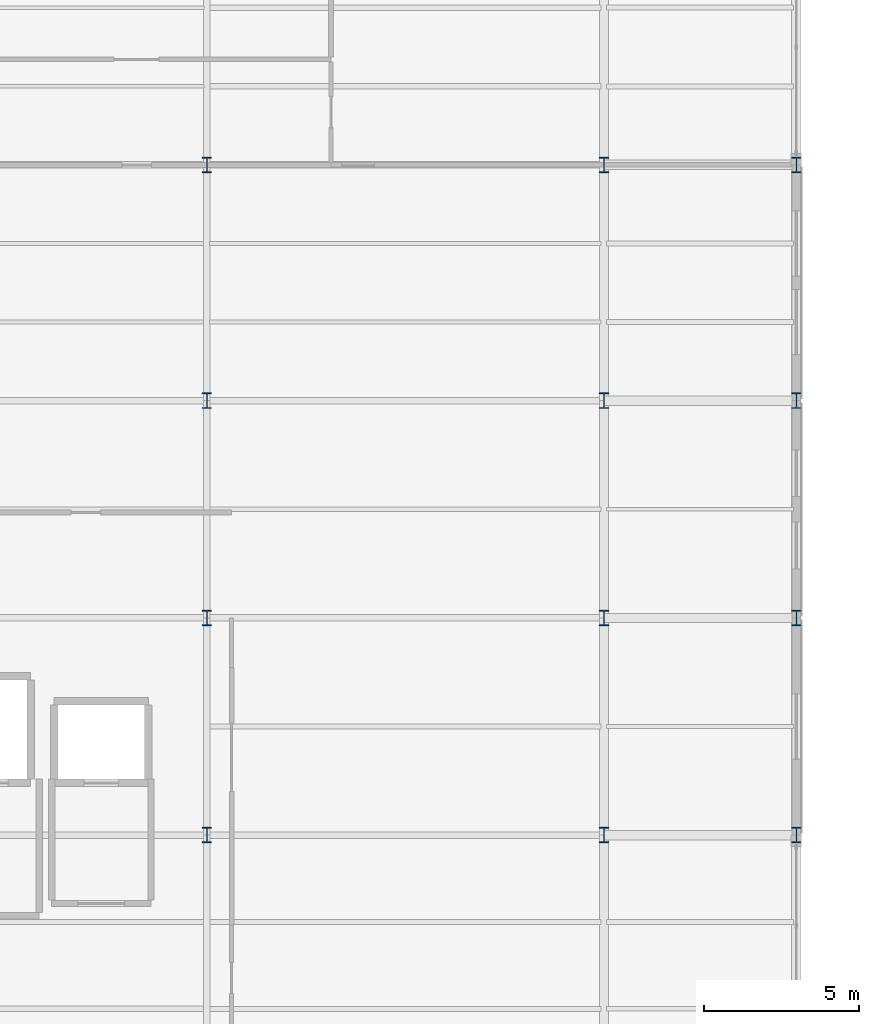
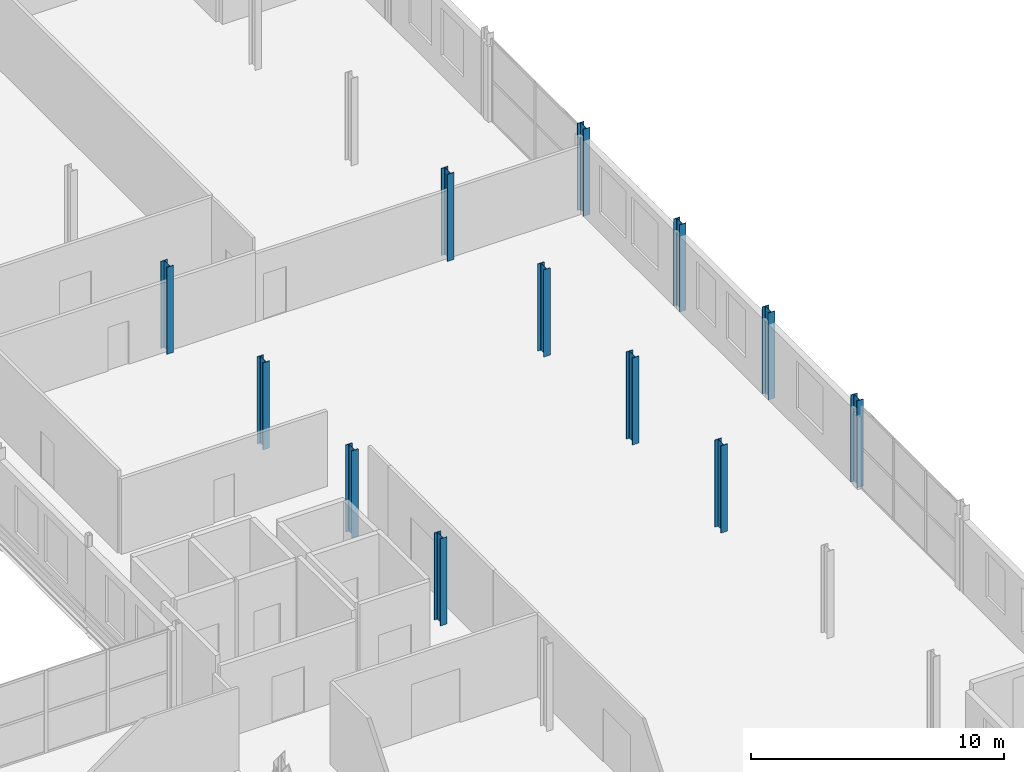
# One storey, part 14 of 101: 12 columns.
"""IFC4 building model written with IfcOpenShell, lengths in metres."""

import ifcopenshell
import ifcopenshell.guid

model = None  # the IFC model being written
_history = None  # IfcOwnerHistory: only IFC2X3 demands one
_inside = {}  # id of a spatial element -> (the spatial element, [elements in it])
_under = {}  # id of a project, library or spatial element -> (it, [spatial elements below it])
_declared = {}  # id of a project -> (the project, [libraries it declares])
_typed = {}  # id of a type object -> (the type object, [elements of that type])
_made_of = {}  # id of a material, layer set ... -> (it, [elements and type objects made of it])


def new_model(schema):
    """Start an empty IFC model of exactly this schema.

    Asked for "IFC4X3", IfcOpenShell would pick the latest addendum, in which some entities
    have other attributes; the version numbers below select the first issue.
    IFC2X3 requires an IfcOwnerHistory on every rooted entity: one is made here for all.
    """
    global model, _history
    if schema == "IFC4X3":
        model = ifcopenshell.file(schema_version=(4, 3, 0, 0))
    else:
        model = ifcopenshell.file(schema=schema)
    _inside.clear()
    _under.clear()
    _declared.clear()
    _typed.clear()
    _made_of.clear()
    _history = None
    if model.schema == "IFC2X3":
        org = make("IfcOrganization", Name="unknown")
        user = make(
            "IfcPersonAndOrganization",
            ThePerson=make("IfcPerson", FamilyName="unknown"),
            TheOrganization=org,
        )
        app = make(
            "IfcApplication",
            ApplicationDeveloper=org,
            Version="unknown",
            ApplicationFullName="unknown",
            ApplicationIdentifier="unknown",
        )
        _history = make(
            "IfcOwnerHistory",
            OwningUser=user,
            OwningApplication=app,
            ChangeAction="ADDED",
            CreationDate=0,
        )
    return model


def make(cls, **values):
    """One entity of the class cls with the attributes given. An attribute that is None is left unset."""
    return model.create_entity(
        cls, **{name: value for name, value in values.items() if value is not None}
    )


def rooted(cls, **values):
    """An entity with a GlobalId (a new one), such as an element, a storey or a relation."""
    return make(cls, GlobalId=ifcopenshell.guid.new(), OwnerHistory=_history, **values)


def si_unit(unit_type, name, prefix=None):
    """IfcSIUnit, for example si_unit("LENGTHUNIT", "METRE", prefix="MILLI")."""
    return make("IfcSIUnit", UnitType=unit_type, Prefix=prefix, Name=name)


def assignment(units):
    """IfcUnitAssignment: the units of a project."""
    return None if units is None else make("IfcUnitAssignment", Units=units)


def point(xyz):
    """IfcCartesianPoint."""
    return None if xyz is None else make("IfcCartesianPoint", Coordinates=xyz)


def direction(xyz):
    """IfcDirection."""
    return None if xyz is None else make("IfcDirection", DirectionRatios=xyz)


def frame(location, z_axis=None, x_axis=None):
    """IfcAxis2Placement3D, a coordinate frame: its origin and axes. An axis left out is left unset."""
    return make(
        "IfcAxis2Placement3D",
        Location=point(location),
        Axis=direction(z_axis),
        RefDirection=direction(x_axis),
    )


def frame_2d(location, x_axis=None):
    """IfcAxis2Placement2D, a coordinate frame in the plane: its origin and x axis."""
    return make(
        "IfcAxis2Placement2D", Location=point(location), RefDirection=direction(x_axis)
    )


def origin():
    """The frame at (0, 0, 0) with its axes left unset."""
    return frame((0.0, 0.0, 0.0))


def origin_2d():
    """The frame at (0, 0) in the plane with its x axis left unset."""
    return frame_2d((0.0, 0.0))


def place(relative_to, where):
    """IfcLocalPlacement: puts the frame where relative to a parent placement (None: the world)."""
    return make(
        "IfcLocalPlacement", PlacementRelTo=relative_to, RelativePlacement=where
    )


def context(
    kind, dimensions, precision=None, world=None, true_north=None, identifier=None
):
    """IfcGeometricRepresentationContext, for example the 3D "Model" context."""
    return make(
        "IfcGeometricRepresentationContext",
        ContextIdentifier=identifier,
        ContextType=kind,
        CoordinateSpaceDimension=dimensions,
        Precision=precision,
        WorldCoordinateSystem=world,
        TrueNorth=true_north,
    )


def subcontext(parent, identifier, kind, view, scale=None):
    """IfcGeometricRepresentationSubContext, for example "Body" below "Model"."""
    return make(
        "IfcGeometricRepresentationSubContext",
        ContextIdentifier=identifier,
        ContextType=kind,
        ParentContext=parent,
        TargetScale=scale,
        TargetView=view,
    )


def project(units=None, contexts=None):
    """IfcProject with its units and contexts."""
    return rooted(
        "IfcProject",
        Name="project",
        RepresentationContexts=contexts,
        UnitsInContext=assignment(units),
    )


def spatial(cls, under=None, at=None, **own):
    """A site, building, storey or space (cls), placed at a placement, below another one or the project."""
    s = rooted(cls, ObjectPlacement=at, **own)
    if under is not None:
        _under.setdefault(under.id(), (under, []))[1].append(s)
    return s


def profile(cls, at=None, kind="AREA", **sizes):
    """A parametric profile (cls). Its sizes go by their IFC names, for example OverallWidth=200.0."""
    return make(cls, ProfileType=kind, Position=at, **sizes)


def i_section(**sizes):
    """IfcIShapeProfileDef."""
    return profile("IfcIShapeProfileDef", **sizes)


def extrude(swept, where, along, depth):
    """IfcExtrudedAreaSolid: the profile swept, set in the frame where, extruded along a direction by depth."""
    return make(
        "IfcExtrudedAreaSolid",
        SweptArea=swept,
        Position=where,
        ExtrudedDirection=direction(along),
        Depth=depth,
    )


def shape(context_of_items, identifier, shape_type, items):
    """IfcShapeRepresentation: the items that make up one representation, for example the "Body"."""
    return make(
        "IfcShapeRepresentation",
        ContextOfItems=context_of_items,
        RepresentationIdentifier=identifier,
        RepresentationType=shape_type,
        Items=items,
    )


def material(Name=None, Category=None):
    """IfcMaterial."""
    return make("IfcMaterial", Name=Name, Category=Category)


def material_profile(
    of_material, cross_section, Name=None, Category=None, Priority=None
):
    """IfcMaterialProfile: a cross section and its material."""
    return make(
        "IfcMaterialProfile",
        Name=Name,
        Material=of_material,
        Profile=cross_section,
        Priority=Priority,
        Category=Category,
    )


def profile_set(profiles, Name=None, composite=None):
    """IfcMaterialProfileSet."""
    return make(
        "IfcMaterialProfileSet",
        Name=Name,
        MaterialProfiles=profiles,
        CompositeProfile=composite,
    )


def made_of(thing, what):
    """Note that an element or type object is made of a material, layer set ...; save() writes the relation."""
    if what is not None:
        _made_of.setdefault(what.id(), (what, []))[1].append(thing)
    return thing


def type_object(cls, material=None, **own):
    """A type object (cls), such as IfcWallType, which elements share."""
    return made_of(rooted(cls, **own), material)


def element(
    cls,
    number,
    at=None,
    inside=None,
    cuts=None,
    type_object=None,
    material=None,
    context=None,
    identifier="Body",
    shape_type=None,
    held_by="IfcProductDefinitionShape",
    body=None,
    shapes=None,
    **own,
):
    """One element of the class cls, such as IfcWall. Its Tag is "e" and its number.

    at: its placement. inside: the storey or other place that contains it. cuts: it is an
    opening in that element (IfcRelVoidsElement). A single representation is given by context,
    identifier, shape_type and body (its items); several are given by shapes. held_by: the class
    of the entity that holds the representations. save() writes the other relations.
    """
    e = rooted(cls, Tag="e%d" % number, ObjectPlacement=at, **own)
    if body is not None:
        shapes = [shape(context, identifier, shape_type, body)]
    if shapes is not None:
        e.Representation = make(held_by, Representations=shapes)
    if inside is not None:
        _inside.setdefault(inside.id(), (inside, []))[1].append(e)
    if cuts is not None:
        rooted(
            "IfcRelVoidsElement", RelatingBuildingElement=cuts, RelatedOpeningElement=e
        )
    if type_object is not None:
        _typed.setdefault(type_object.id(), (type_object, []))[1].append(e)
    return made_of(e, material)


def aggregate(whole, parts):
    """IfcRelAggregates: a whole, such as a stair, and the parts it consists of."""
    return rooted("IfcRelAggregates", RelatingObject=whole, RelatedObjects=parts)


def save(model, path):
    """Write the relations noted so far, then the file.

    IfcRelAggregates (storeys below a building ...), IfcRelContainedInSpatialStructure (elements
    in a storey), IfcRelDefinesByType, IfcRelAssociatesMaterial and IfcRelDeclares: one each for
    every whole, place, type object, material and project.
    """
    for whole, parts in _under.values():
        aggregate(whole, parts)
    for where, things in _inside.values():
        rooted(
            "IfcRelContainedInSpatialStructure",
            RelatedElements=things,
            RelatingStructure=where,
        )
    for kind, things in _typed.values():
        rooted("IfcRelDefinesByType", RelatedObjects=things, RelatingType=kind)
    for what, things in _made_of.values():
        rooted("IfcRelAssociatesMaterial", RelatedObjects=things, RelatingMaterial=what)
    for by, libraries in _declared.values():
        rooted("IfcRelDeclares", RelatingContext=by, RelatedDefinitions=libraries)
    model.write(path)


model = new_model("IFC4")

# Units and contexts
model_context = context("Model", 3, precision=1e-05, world=origin(), true_north=direction((0.0, 1.0)))
body_context = subcontext(model_context, "Body", "Model", "MODEL_VIEW")
ifc_project = project(units=[si_unit("LENGTHUNIT", "METRE"), si_unit("AREAUNIT", "SQUARE_METRE"), si_unit("VOLUMEUNIT", "CUBIC_METRE"), si_unit("PLANEANGLEUNIT", "RADIAN"), si_unit("MASSUNIT", "GRAM", prefix="KILO")], contexts=[model_context])

# Site, building, storey
site_placement = place(None, origin())
site = spatial("IfcSite", under=ifc_project, at=site_placement, CompositionType="ELEMENT")
building_placement = place(site_placement, origin())
building = spatial("IfcBuilding", under=site, at=building_placement, Name="Vekula Escarpment Museum", CompositionType="ELEMENT")
storey_placement = place(building_placement, frame((0.0, 0.0, 18.0)))
storey = spatial("IfcBuildingStorey", under=building, at=storey_placement, Name="L04", CompositionType="ELEMENT", Elevation=18.0)

# Columns
ifc_material = material(Name="Steel S355", Category="steel")
ifc_material_profile = material_profile(ifc_material, i_section(OverallWidth=0.300048828125, OverallDepth=0.5, WebThickness=0.014404296875, FlangeThickness=0.028076171875, FilletRadius=0.027099609375, at=origin_2d()), Name="HEB 500")
ifc_profile_set = profile_set([ifc_material_profile], Name="Steel S355")
column_type = type_object("IfcColumnType", Name="COL-S-HEB500", PredefinedType="COLUMN", material=ifc_profile_set)
for number, where, z_axis, x_axis, name in (
    (1, (179.0, 76.39990234375, 0.0), (0.0, 0.0, 1.0), (1.0, 0.0, 0.0), "Column L04 (179.0,76.4)"),
    (2, (179.0, 83.39990234375, 0.0), (0.0, 0.0, 1.0), (1.0, 0.0, 0.0), "Column L04 (179.0,83.4)"),
    (3, (179.0, 90.39990234375, 0.0), (0.0, 0.0, 1.0), (1.0, 0.0, 0.0), "Column L04 (179.0,90.4)"),
    (4, (179.0, 98.0, 0.0), (0.0, 0.0, 1.0), (1.0, 0.0, 0.0), "Column L04 (179.0,98.0)"),
    (5, (191.800048828125, 76.39990234375, 0.0), (0.0, 0.0, 1.0), (1.0, 0.0, 0.0), "Column L04 (191.8,76.4)"),
    (6, (191.800048828125, 83.39990234375, 0.0), (0.0, 0.0, 1.0), (1.0, 0.0, 0.0), "Column L04 (191.8,83.4)"),
    (7, (191.800048828125, 90.39990234375, 0.0), (0.0, 0.0, 1.0), (1.0, 0.0, 0.0), "Column L04 (191.8,90.4)"),
    (8, (191.800048828125, 98.0, 0.0), (0.0, 0.0, 1.0), (1.0, 0.0, 0.0), "Column L04 (191.8,98.0)"),
    (9, (198.0, 76.39990234375, 0.0), (0.0, 0.0, 1.0), (1.0, 0.0, 0.0), "Column L04 (198.0,76.4)"),
    (10, (198.0, 83.39990234375, 0.0), (0.0, 0.0, 1.0), (1.0, 0.0, 0.0), "Column L04 (198.0,83.4)"),
    (11, (198.0, 90.39990234375, 0.0), (0.0, 0.0, 1.0), (1.0, 0.0, 0.0), "Column L04 (198.0,90.4)"),
    (12, (198.0, 98.0, 0.0), (0.0, 0.0, 1.0), (1.0, 0.0, 0.0), "Column L04 (198.0,98.0)"),
):
    element("IfcColumn", number, at=place(storey_placement, frame(where, z_axis=z_axis, x_axis=x_axis)), inside=storey, type_object=column_type, Name=name, PredefinedType="COLUMN", context=body_context, shape_type="SweptSolid", body=[
        extrude(i_section(OverallWidth=0.300048828125, OverallDepth=0.5, WebThickness=0.014404296875, FlangeThickness=0.028076171875, FilletRadius=0.027099609375, at=origin_2d()), origin(), (0.0, 0.0, 1.0), 4.199951171875),
    ])

save(model, "model.ifc")
